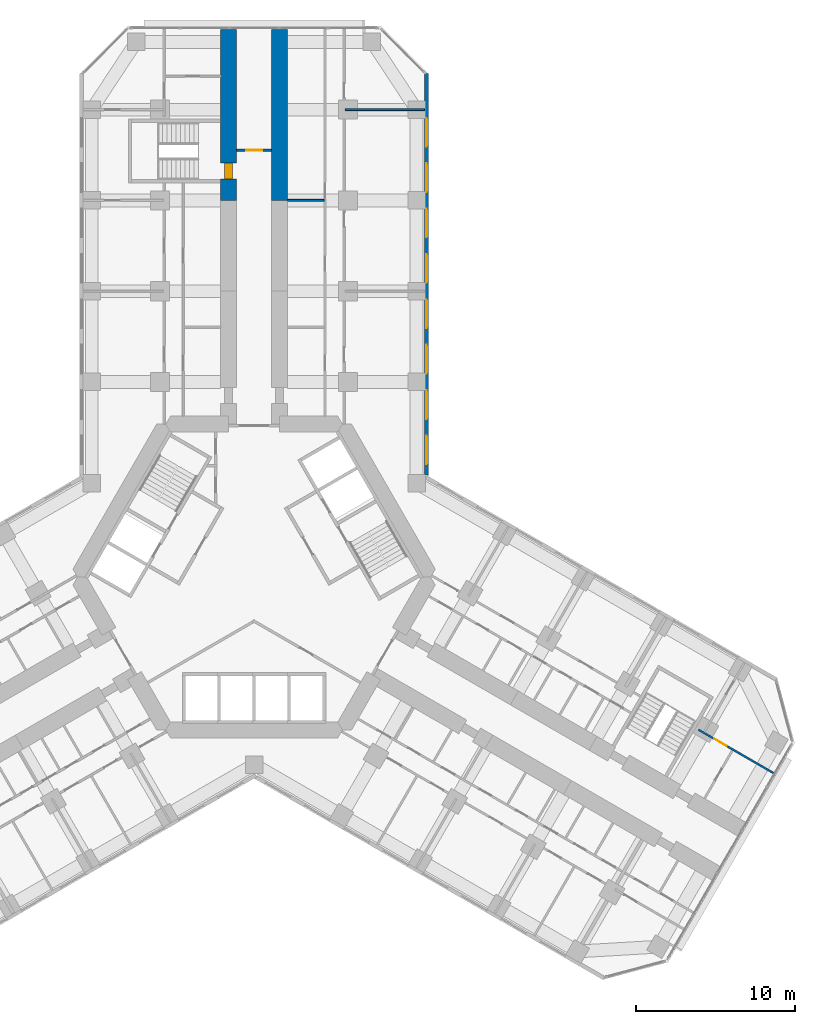
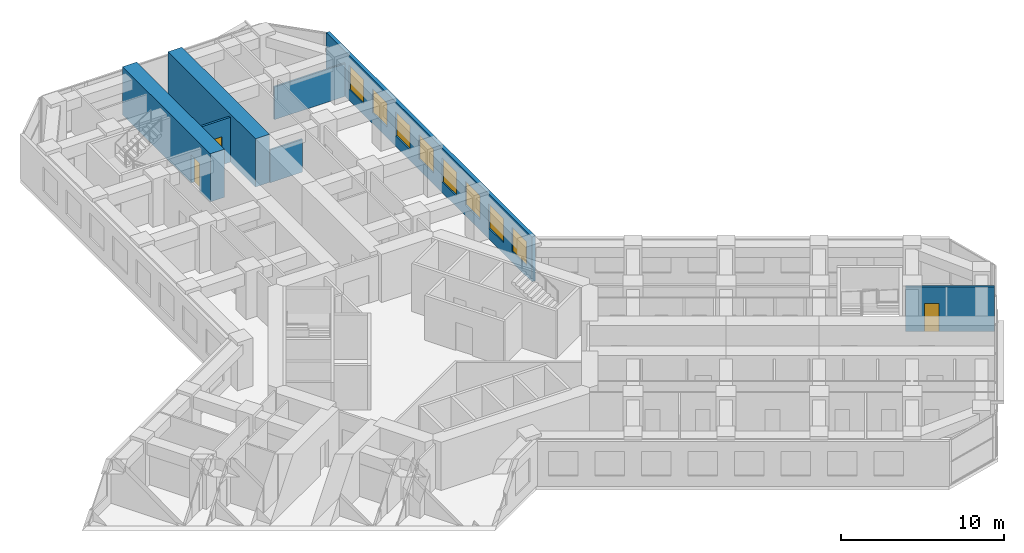
# One storey, part 16 of 18: 8 windows, 7 walls, 3 doors, 11 openings.
"""IFC4 building model written with IfcOpenShell, lengths in metres."""

from ifc_helpers import new_model, si_unit, direction, frame, frame_2d, origin, place, context, subcontext, project, spatial, rectangle, extrude, material, layer, layer_set, type_object, element, fill, save


model = new_model("IFC4")

# Units and contexts
model_context = context("Model", 3, precision=1e-05, world=origin(), true_north=direction((0.0, 1.0)))
body_context = subcontext(model_context, "Body", "Model", "MODEL_VIEW")
ifc_project = project(units=[si_unit("LENGTHUNIT", "METRE"), si_unit("AREAUNIT", "SQUARE_METRE"), si_unit("VOLUMEUNIT", "CUBIC_METRE"), si_unit("PLANEANGLEUNIT", "RADIAN"), si_unit("MASSUNIT", "GRAM", prefix="KILO")], contexts=[model_context])

# Site, building, storey
site_placement = place(None, origin())
site = spatial("IfcSite", under=ifc_project, at=site_placement, CompositionType="ELEMENT")
building_placement = place(site_placement, origin())
building = spatial("IfcBuilding", under=site, at=building_placement, Name="Kosmar Iwan School Tower", CompositionType="ELEMENT")
storey_placement = place(building_placement, frame((0.0, 0.0, 25.199951171875)))
storey = spatial("IfcBuildingStorey", under=building, at=storey_placement, Name="L05", CompositionType="ELEMENT", Elevation=25.199951171875)

# Wall, opening, door
ifc_material_1 = material(Name="Concrete C50/60", Category="concrete")
ifc_layer_1 = layer(ifc_material_1, 1.0)
ifc_layer_set_1 = layer_set([ifc_layer_1], Name="Corridor buttress wall 1000")
wall_type_1 = type_object("IfcWallType", Name="Corridor buttress wall 1000", PredefinedType="SHEAR", material=ifc_layer_set_1)
wall_1_placement = place(storey_placement, frame((-1.60009765625, 23.64990234375, 0.0), z_axis=(0.0, 0.0, 1.0), x_axis=(0.0, 1.0, 0.0)))
wall_1 = element("IfcWall", 1, at=wall_1_placement, inside=storey, type_object=wall_type_1, Name="Corridor wall AL bay 3", PredefinedType="SHEAR", context=body_context, shape_type="SweptSolid", body=[
    extrude(rectangle(XDim=10.7451171875, YDim=1.0, at=frame_2d((5.37255859375, 0.0))), origin(), (0.0, 0.0, 1.0), 3.60009765625),
])
opening_1_placement = place(wall_1_placement, frame((1.35009765625, 0.0, 0.0)))
opening_1 = element("IfcOpeningElement", 2, at=opening_1_placement, cuts=wall_1, Name="Opening D6", PredefinedType="OPENING", context=body_context, shape_type="SweptSolid", body=[
    extrude(rectangle(XDim=1.0, YDim=2.10009765625, at=frame_2d((0.5, 1.050048828125))), frame((0.0, 0.511962890625, 0.0), z_axis=(0.0, -1.0, 0.0), x_axis=(1.0, 0.0, 0.0)), (0.0, 0.0, 1.0), 1.02392578125),
])
ifc_material_2 = material(Name="Steel fire door", Category="steel")
door_type_1 = type_object("IfcDoorType", Name="Stair door 1000x2100", OperationType="SINGLE_SWING_LEFT", PredefinedType="DOOR", material=ifc_material_2)
door_1_placement = place(opening_1_placement, origin())
door_1 = element("IfcDoor", 3, at=door_1_placement, inside=storey, type_object=door_type_1, Name="Stair WS1 door L05", OperationType="SINGLE_SWING_LEFT", OverallHeight=2.10009765625, OverallWidth=1.0, PredefinedType="DOOR", context=body_context, shape_type="SweptSolid", body=[
    extrude(rectangle(XDim=1.0, YDim=2.10009765625, at=frame_2d((0.5, 1.050048828125))), frame((0.0, 0.25, 0.0), z_axis=(0.0, -1.0, 0.0), x_axis=(1.0, 0.0, 0.0)), (0.0, 0.0, 1.0), 0.5),
])
fill(opening_1, door_1)

# Wall
wall_2_placement = place(storey_placement, frame((1.60009765625, 23.64990234375, 0.0), z_axis=(0.0, 0.0, 1.0), x_axis=(0.0, 1.0, 0.0)))
element("IfcWall", 4, at=wall_2_placement, inside=storey, type_object=wall_type_1, Name="Corridor wall AR bay 3", PredefinedType="SHEAR", context=body_context, shape_type="SweptSolid", body=[
    extrude(rectangle(XDim=10.7451171875, YDim=1.0, at=frame_2d((5.37255859375, 0.0))), origin(), (0.0, 0.0, 1.0), 3.60009765625),
])

# Wall, opening, door
ifc_material_3 = material(Name="Gypsum board on steel studs, fire-rated", Category="steel")
ifc_layer_2 = layer(ifc_material_3, 0.14990234375)
ifc_layer_set_2 = layer_set([ifc_layer_2], Name="Corridor end wall 150")
wall_type_2 = type_object("IfcWallType", Name="Corridor end wall 150", PredefinedType="PARTITIONING", material=ifc_layer_set_2)
wall_3_placement = place(storey_placement, frame((1.10009765625, 26.800048828125, 0.0), z_axis=(0.0, 0.0, 1.0), x_axis=(-1.0, 0.0, 0.0)))
wall_3 = element("IfcWall", 5, at=wall_3_placement, inside=storey, type_object=wall_type_2, Name="Partition L05-A-CE", PredefinedType="PARTITIONING", context=body_context, shape_type="SweptSolid", body=[
    extrude(rectangle(XDim=2.2001953125, YDim=0.14990234375, at=frame_2d((1.10009765625, 0.0))), origin(), (0.0, 0.0, 1.0), 3.35009765625),
])
opening_2_placement = place(wall_3_placement, frame((0.60009765625, 0.0, 0.0)))
opening_2 = element("IfcOpeningElement", 6, at=opening_2_placement, cuts=wall_3, Name="Opening D13", PredefinedType="OPENING", context=body_context, shape_type="SweptSolid", body=[
    extrude(rectangle(XDim=1.0, YDim=2.10009765625, at=frame_2d((0.5, 1.050048828125))), frame((0.0, 0.0869140625, 0.0), z_axis=(0.0, -1.0, 0.0), x_axis=(1.0, 0.0, 0.0)), (0.0, 0.0, 1.0), 0.173828125),
])
ifc_material_4 = material(Name="Timber fire door with vision panel", Category="wood")
door_type_2 = type_object("IfcDoorType", Name="Corridor end door 1000x2100", OperationType="SINGLE_SWING_LEFT", PredefinedType="DOOR", material=ifc_material_4)
door_2_placement = place(opening_2_placement, origin())
door_2 = element("IfcDoor", 7, at=door_2_placement, inside=storey, type_object=door_type_2, Name="Family study room door L05-A", OperationType="SINGLE_SWING_RIGHT", OverallHeight=2.10009765625, OverallWidth=1.0, PredefinedType="DOOR", context=body_context, shape_type="SweptSolid", body=[
    extrude(rectangle(XDim=1.0, YDim=2.10009765625, at=frame_2d((0.5, 1.050048828125))), frame((0.0, 0.02490234375, 0.0), z_axis=(0.0, -1.0, 0.0), x_axis=(1.0, 0.0, 0.0)), (0.0, 0.0, 1.0), 0.050048828125),
])
fill(opening_2, door_2)

# Walls
ifc_material_5 = material(Name="Gypsum board on steel studs", Category="steel")
ifc_layer_3 = layer(ifc_material_5, 0.1201171875)
ifc_layer_set_3 = layer_set([ifc_layer_3], Name="Dwelling partition 120")
wall_type_3 = type_object("IfcWallType", Name="Dwelling partition 120", PredefinedType="PARTITIONING", material=ifc_layer_set_3)
wall_4_placement = place(storey_placement, frame((5.7099609375, 29.35009765625, 0.0), z_axis=(0.0, 0.0, 1.0), x_axis=(1.0, 0.0, 0.0)))
element("IfcWall", 8, at=wall_4_placement, inside=storey, type_object=wall_type_3, Name="Partition L05-AR1-X2", PredefinedType="PARTITIONING", context=body_context, shape_type="SweptSolid", body=[
    extrude(rectangle(XDim=4.989990234375, YDim=0.1201171875, at=frame_2d((2.4951171875, 0.0))), origin(), (0.0, 0.0, 1.0), 2.449951171875),
])
wall_5_placement = place(storey_placement, frame((2.10009765625, 23.64990234375, 0.0), z_axis=(0.0, 0.0, 1.0), x_axis=(1.0, 0.0, 0.0)))
element("IfcWall", 9, at=wall_5_placement, inside=storey, type_object=wall_type_3, Name="Partition L05-AR1-Y2", PredefinedType="PARTITIONING", context=body_context, shape_type="SweptSolid", body=[
    extrude(rectangle(XDim=2.289794921875, YDim=0.1201171875, at=frame_2d((1.14501953125, 0.0))), origin(), (0.0, 0.0, 1.0), 2.449951171875),
])

# Wall, opening, door
wall_6_placement = place(storey_placement, frame((27.896484375, -9.58203125, 0.0), z_axis=(0.0, 0.0, 1.0), x_axis=(0.866035508231, -0.499982498177, 0.0)))
wall_6 = element("IfcWall", 10, at=wall_6_placement, inside=storey, type_object=wall_type_3, Name="Partition L05-CL2-TW", PredefinedType="PARTITIONING", context=body_context, shape_type="SweptSolid", body=[
    extrude(rectangle(XDim=5.445068359375, YDim=0.1201171875, at=frame_2d((2.72265625, 0.0))), origin(), (0.0, 0.0, 1.0), 3.35009765625),
])
opening_3_placement = place(wall_6_placement, frame((1.14990234375, 0.0, 0.0)))
opening_3 = element("IfcOpeningElement", 11, at=opening_3_placement, cuts=wall_6, Name="Opening D2", PredefinedType="OPENING", context=body_context, shape_type="SweptSolid", body=[
    extrude(rectangle(XDim=0.89990234375, YDim=2.10009765625, at=frame_2d((0.449951171875, 1.050048828125))), frame((0.0, 0.072021484375, 0.0), z_axis=(0.0, -1.0, 0.0), x_axis=(1.0, 0.0, 0.0)), (0.0, 0.0, 1.0), 0.14404296875),
])
ifc_material_6 = material(Name="Timber door in timber frame", Category="wood")
door_type_3 = type_object("IfcDoorType", Name="Internal door 900x2100", OperationType="SINGLE_SWING_LEFT", PredefinedType="DOOR", material=ifc_material_6)
door_3_placement = place(opening_3_placement, origin())
door_3 = element("IfcDoor", 12, at=door_3_placement, inside=storey, type_object=door_type_3, Name="Entrance hall door L05-CL2-T3", OperationType="SINGLE_SWING_LEFT", OverallHeight=2.10009765625, OverallWidth=0.89990234375, PredefinedType="DOOR", context=body_context, shape_type="SweptSolid", body=[
    extrude(rectangle(XDim=0.89990234375, YDim=2.10009765625, at=frame_2d((0.449951171875, 1.050048828125))), frame((0.0, 0.02490234375, 0.0), z_axis=(0.0, -1.0, 0.0), x_axis=(1.0, 0.0, 0.0)), (0.0, 0.0, 1.0), 0.050048828125),
])
fill(opening_3, door_3)

# Wall, openings, windows
ifc_material_7 = material(Name="Black aluminium rainscreen on insulated framing", Category="aluminium")
ifc_layer_4 = layer(ifc_material_7, 0.25)
ifc_layer_set_4 = layer_set([ifc_layer_4], Name="External wall rainscreen 250")
wall_type_4 = type_object("IfcWallType", Name="External wall rainscreen 250", PredefinedType="SOLIDWALL", material=ifc_layer_set_4)
wall_7_placement = place(storey_placement, frame((10.824951171875, 6.408935546875, 0.0), z_axis=(0.0, 0.0, 1.0), x_axis=(0.0, 1.0, 0.0)))
wall_7 = element("IfcWall", 13, at=wall_7_placement, inside=storey, type_object=wall_type_4, Name="External wall AR L05", PredefinedType="SOLIDWALL", context=body_context, shape_type="SweptSolid", body=[
    extrude(rectangle(XDim=25.226318359375, YDim=0.25, at=frame_2d((12.61328125, 0.0))), origin(), (0.0, 0.0, 1.0), 3.35009765625),
])
opening_4_placement = place(wall_7_placement, frame((0.666015625, 0.0, 0.800048828125)))
opening_4 = element("IfcOpeningElement", 14, at=opening_4_placement, cuts=wall_7, Name="Opening W1", PredefinedType="OPENING", context=body_context, shape_type="SweptSolid", body=[
    extrude(rectangle(XDim=1.800048828125, YDim=1.800048828125, at=frame_2d((0.89990234375, 0.89990234375))), frame((0.0, 0.136962890625, 0.0), z_axis=(0.0, -1.0, 0.0), x_axis=(1.0, 0.0, 0.0)), (0.0, 0.0, 1.0), 0.27392578125),
])
opening_5_placement = place(wall_7_placement, frame((3.51611328125, 0.0, 0.800048828125)))
opening_5 = element("IfcOpeningElement", 15, at=opening_5_placement, cuts=wall_7, Name="Opening W1", PredefinedType="OPENING", context=body_context, shape_type="SweptSolid", body=[
    extrude(rectangle(XDim=1.800048828125, YDim=1.800048828125, at=frame_2d((0.89990234375, 0.89990234375))), frame((0.0, 0.136962890625, 0.0), z_axis=(0.0, -1.0, 0.0), x_axis=(1.0, 0.0, 0.0)), (0.0, 0.0, 1.0), 0.27392578125),
])
opening_6_placement = place(wall_7_placement, frame((6.365966796875, 0.0, 0.800048828125)))
opening_6 = element("IfcOpeningElement", 16, at=opening_6_placement, cuts=wall_7, Name="Opening W1", PredefinedType="OPENING", context=body_context, shape_type="SweptSolid", body=[
    extrude(rectangle(XDim=1.800048828125, YDim=1.800048828125, at=frame_2d((0.89990234375, 0.89990234375))), frame((0.0, 0.136962890625, 0.0), z_axis=(0.0, -1.0, 0.0), x_axis=(1.0, 0.0, 0.0)), (0.0, 0.0, 1.0), 0.27392578125),
])
opening_7_placement = place(wall_7_placement, frame((9.216064453125, 0.0, 0.800048828125)))
opening_7 = element("IfcOpeningElement", 17, at=opening_7_placement, cuts=wall_7, Name="Opening W1", PredefinedType="OPENING", context=body_context, shape_type="SweptSolid", body=[
    extrude(rectangle(XDim=1.800048828125, YDim=1.800048828125, at=frame_2d((0.89990234375, 0.89990234375))), frame((0.0, 0.136962890625, 0.0), z_axis=(0.0, -1.0, 0.0), x_axis=(1.0, 0.0, 0.0)), (0.0, 0.0, 1.0), 0.27392578125),
])
opening_8_placement = place(wall_7_placement, frame((12.06591796875, 0.0, 0.800048828125)))
opening_8 = element("IfcOpeningElement", 18, at=opening_8_placement, cuts=wall_7, Name="Opening W1", PredefinedType="OPENING", context=body_context, shape_type="SweptSolid", body=[
    extrude(rectangle(XDim=1.800048828125, YDim=1.800048828125, at=frame_2d((0.89990234375, 0.89990234375))), frame((0.0, 0.136962890625, 0.0), z_axis=(0.0, -1.0, 0.0), x_axis=(1.0, 0.0, 0.0)), (0.0, 0.0, 1.0), 0.27392578125),
])
opening_9_placement = place(wall_7_placement, frame((14.916015625, 0.0, 0.800048828125)))
opening_9 = element("IfcOpeningElement", 19, at=opening_9_placement, cuts=wall_7, Name="Opening W1", PredefinedType="OPENING", context=body_context, shape_type="SweptSolid", body=[
    extrude(rectangle(XDim=1.800048828125, YDim=1.800048828125, at=frame_2d((0.89990234375, 0.89990234375))), frame((0.0, 0.136962890625, 0.0), z_axis=(0.0, -1.0, 0.0), x_axis=(1.0, 0.0, 0.0)), (0.0, 0.0, 1.0), 0.27392578125),
])
opening_10_placement = place(wall_7_placement, frame((17.76611328125, 0.0, 0.800048828125)))
opening_10 = element("IfcOpeningElement", 20, at=opening_10_placement, cuts=wall_7, Name="Opening W1", PredefinedType="OPENING", context=body_context, shape_type="SweptSolid", body=[
    extrude(rectangle(XDim=1.800048828125, YDim=1.800048828125, at=frame_2d((0.89990234375, 0.89990234375))), frame((0.0, 0.136962890625, 0.0), z_axis=(0.0, -1.0, 0.0), x_axis=(1.0, 0.0, 0.0)), (0.0, 0.0, 1.0), 0.27392578125),
])
opening_11_placement = place(wall_7_placement, frame((20.615966796875, 0.0, 0.800048828125)))
opening_11 = element("IfcOpeningElement", 21, at=opening_11_placement, cuts=wall_7, Name="Opening W1", PredefinedType="OPENING", context=body_context, shape_type="SweptSolid", body=[
    extrude(rectangle(XDim=1.800048828125, YDim=1.800048828125, at=frame_2d((0.89990234375, 0.89990234375))), frame((0.0, 0.136962890625, 0.0), z_axis=(0.0, -1.0, 0.0), x_axis=(1.0, 0.0, 0.0)), (0.0, 0.0, 1.0), 0.27392578125),
])
ifc_material_8 = material(Name="Black aluminium frame with dark triple glazing", Category="aluminium")
window_type = type_object("IfcWindowType", Name="Window 1800x1800", PartitioningType="SINGLE_PANEL", PredefinedType="WINDOW", material=ifc_material_8)
window_1_placement = place(opening_4_placement, origin())
window_1 = element("IfcWindow", 22, at=window_1_placement, inside=storey, type_object=window_type, Name="Window AR L05 -1", OverallHeight=1.800048828125, OverallWidth=1.800048828125, PartitioningType="SINGLE_PANEL", PredefinedType="WINDOW", context=body_context, shape_type="SweptSolid", body=[
    extrude(rectangle(XDim=1.800048828125, YDim=1.800048828125, at=frame_2d((0.89990234375, 0.89990234375))), frame((0.0, 0.030029296875, 0.0), z_axis=(0.0, -1.0, 0.0), x_axis=(1.0, 0.0, 0.0)), (0.0, 0.0, 1.0), 0.06005859375),
])
fill(opening_4, window_1)
window_2_placement = place(opening_5_placement, origin())
window_2 = element("IfcWindow", 23, at=window_2_placement, inside=storey, type_object=window_type, Name="Window AR L05 0", OverallHeight=1.800048828125, OverallWidth=1.800048828125, PartitioningType="SINGLE_PANEL", PredefinedType="WINDOW", context=body_context, shape_type="SweptSolid", body=[
    extrude(rectangle(XDim=1.800048828125, YDim=1.800048828125, at=frame_2d((0.89990234375, 0.89990234375))), frame((0.0, 0.030029296875, 0.0), z_axis=(0.0, -1.0, 0.0), x_axis=(1.0, 0.0, 0.0)), (0.0, 0.0, 1.0), 0.06005859375),
])
fill(opening_5, window_2)
window_3_placement = place(opening_6_placement, origin())
window_3 = element("IfcWindow", 24, at=window_3_placement, inside=storey, type_object=window_type, Name="Window AR L05 1", OverallHeight=1.800048828125, OverallWidth=1.800048828125, PartitioningType="SINGLE_PANEL", PredefinedType="WINDOW", context=body_context, shape_type="SweptSolid", body=[
    extrude(rectangle(XDim=1.800048828125, YDim=1.800048828125, at=frame_2d((0.89990234375, 0.89990234375))), frame((0.0, 0.030029296875, 0.0), z_axis=(0.0, -1.0, 0.0), x_axis=(1.0, 0.0, 0.0)), (0.0, 0.0, 1.0), 0.06005859375),
])
fill(opening_6, window_3)
window_4_placement = place(opening_7_placement, origin())
window_4 = element("IfcWindow", 25, at=window_4_placement, inside=storey, type_object=window_type, Name="Window AR L05 2", OverallHeight=1.800048828125, OverallWidth=1.800048828125, PartitioningType="SINGLE_PANEL", PredefinedType="WINDOW", context=body_context, shape_type="SweptSolid", body=[
    extrude(rectangle(XDim=1.800048828125, YDim=1.800048828125, at=frame_2d((0.89990234375, 0.89990234375))), frame((0.0, 0.030029296875, 0.0), z_axis=(0.0, -1.0, 0.0), x_axis=(1.0, 0.0, 0.0)), (0.0, 0.0, 1.0), 0.06005859375),
])
fill(opening_7, window_4)
window_5_placement = place(opening_8_placement, origin())
window_5 = element("IfcWindow", 26, at=window_5_placement, inside=storey, type_object=window_type, Name="Window AR L05 3", OverallHeight=1.800048828125, OverallWidth=1.800048828125, PartitioningType="SINGLE_PANEL", PredefinedType="WINDOW", context=body_context, shape_type="SweptSolid", body=[
    extrude(rectangle(XDim=1.800048828125, YDim=1.800048828125, at=frame_2d((0.89990234375, 0.89990234375))), frame((0.0, 0.030029296875, 0.0), z_axis=(0.0, -1.0, 0.0), x_axis=(1.0, 0.0, 0.0)), (0.0, 0.0, 1.0), 0.06005859375),
])
fill(opening_8, window_5)
window_6_placement = place(opening_9_placement, origin())
window_6 = element("IfcWindow", 27, at=window_6_placement, inside=storey, type_object=window_type, Name="Window AR L05 4", OverallHeight=1.800048828125, OverallWidth=1.800048828125, PartitioningType="SINGLE_PANEL", PredefinedType="WINDOW", context=body_context, shape_type="SweptSolid", body=[
    extrude(rectangle(XDim=1.800048828125, YDim=1.800048828125, at=frame_2d((0.89990234375, 0.89990234375))), frame((0.0, 0.030029296875, 0.0), z_axis=(0.0, -1.0, 0.0), x_axis=(1.0, 0.0, 0.0)), (0.0, 0.0, 1.0), 0.06005859375),
])
fill(opening_9, window_6)
window_7_placement = place(opening_10_placement, origin())
window_7 = element("IfcWindow", 28, at=window_7_placement, inside=storey, type_object=window_type, Name="Window AR L05 5", OverallHeight=1.800048828125, OverallWidth=1.800048828125, PartitioningType="SINGLE_PANEL", PredefinedType="WINDOW", context=body_context, shape_type="SweptSolid", body=[
    extrude(rectangle(XDim=1.800048828125, YDim=1.800048828125, at=frame_2d((0.89990234375, 0.89990234375))), frame((0.0, 0.030029296875, 0.0), z_axis=(0.0, -1.0, 0.0), x_axis=(1.0, 0.0, 0.0)), (0.0, 0.0, 1.0), 0.06005859375),
])
fill(opening_10, window_7)
window_8_placement = place(opening_11_placement, origin())
window_8 = element("IfcWindow", 29, at=window_8_placement, inside=storey, type_object=window_type, Name="Window AR L05 6", OverallHeight=1.800048828125, OverallWidth=1.800048828125, PartitioningType="SINGLE_PANEL", PredefinedType="WINDOW", context=body_context, shape_type="SweptSolid", body=[
    extrude(rectangle(XDim=1.800048828125, YDim=1.800048828125, at=frame_2d((0.89990234375, 0.89990234375))), frame((0.0, 0.030029296875, 0.0), z_axis=(0.0, -1.0, 0.0), x_axis=(1.0, 0.0, 0.0)), (0.0, 0.0, 1.0), 0.06005859375),
])
fill(opening_11, window_8)

save(model, "model.ifc")
